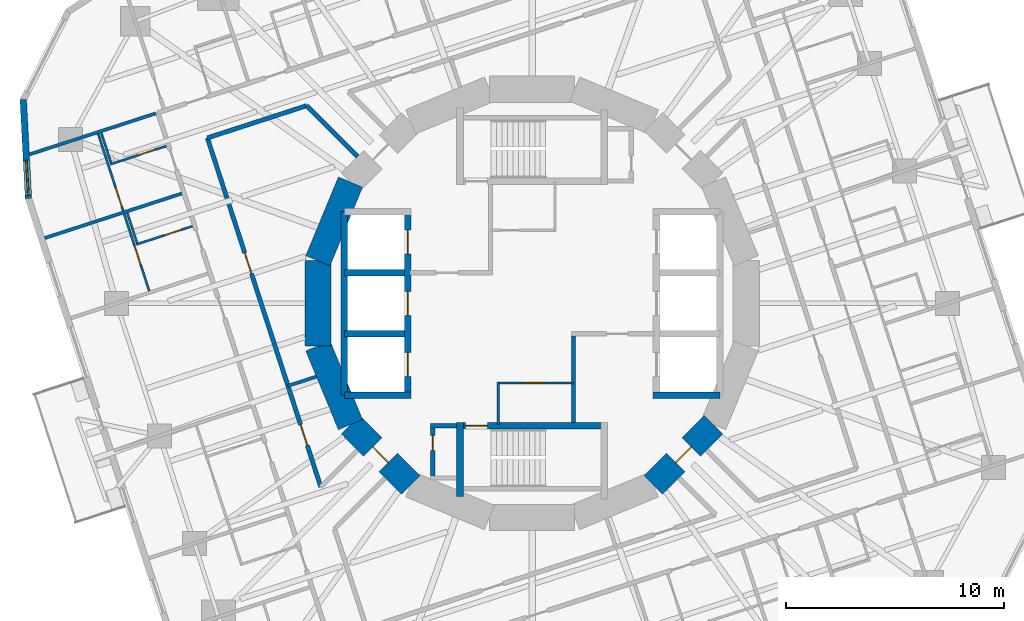
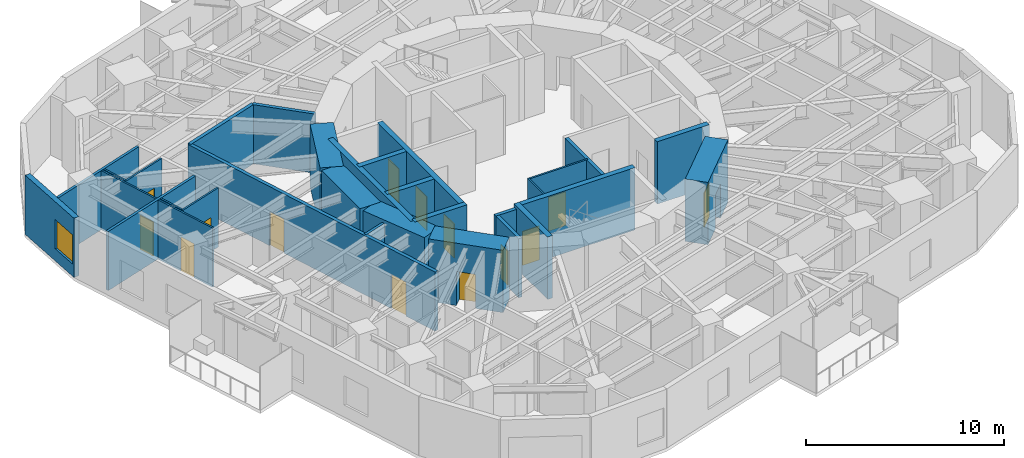
# One storey, part 6 of 12: 31 walls, 14 doors, 1 window, 15 openings.
"""IFC4 building model written with IfcOpenShell, lengths in metres."""

from ifc_helpers import new_model, si_unit, direction, frame, frame_2d, origin, place, context, subcontext, project, spatial, rectangle, extrude, material, layer, layer_set, type_object, element, fill, save


model = new_model("IFC4")

# Units and contexts
model_context = context("Model", 3, precision=1e-05, world=origin(), true_north=direction((0.0, 1.0)))
body_context = subcontext(model_context, "Body", "Model", "MODEL_VIEW")
ifc_project = project(units=[si_unit("LENGTHUNIT", "METRE"), si_unit("AREAUNIT", "SQUARE_METRE"), si_unit("VOLUMEUNIT", "CUBIC_METRE"), si_unit("PLANEANGLEUNIT", "RADIAN"), si_unit("MASSUNIT", "GRAM", prefix="KILO")], contexts=[model_context])

# Site, building, storey
site_placement = place(None, origin())
site = spatial("IfcSite", under=ifc_project, at=site_placement, CompositionType="ELEMENT")
building_placement = place(site_placement, origin())
building = spatial("IfcBuilding", under=site, at=building_placement, Name="Nakasero Lantern House", CompositionType="ELEMENT")
storey_placement = place(building_placement, frame((0.0, 0.0, 153.35009765625)))
storey = spatial("IfcBuildingStorey", under=building, at=storey_placement, Name="L37", CompositionType="ELEMENT", Elevation=153.35009765625)

# Wall, openings, doors
ifc_material_1 = material(Name="Concrete C50/60", Category="concrete")
ifc_layer_1 = layer(ifc_material_1, 0.300048828125)
ifc_layer_set_1 = layer_set([ifc_layer_1], Name="Core inner wall 300")
wall_type_1 = type_object("IfcWallType", Name="Core inner wall 300", PredefinedType="SHEAR", material=ifc_layer_set_1)
wall_1_placement = place(storey_placement, frame((-5.699951171875, -4.199951171875, 0.0), z_axis=(0.0, 0.0, 1.0), x_axis=(0.0, 1.0, 0.0)))
wall_1 = element("IfcWall", 1, at=wall_1_placement, inside=storey, type_object=wall_type_1, Name="Core inner wall L37 LW", PredefinedType="SHEAR", context=body_context, shape_type="SweptSolid", body=[
    extrude(rectangle(XDim=8.39990234375, YDim=0.300048828125, at=frame_2d((4.199951171875, 0.0))), origin(), (0.0, 0.0, 1.0), 3.849853515625),
])
opening_1_placement = place(wall_1_placement, frame((0.85009765625, 0.0, 0.0)))
opening_1 = element("IfcOpeningElement", 2, at=opening_1_placement, cuts=wall_1, Name="Opening LD", PredefinedType="OPENING", context=body_context, shape_type="SweptSolid", body=[
    extrude(rectangle(XDim=1.10009765625, YDim=2.10009765625, at=frame_2d((0.550048828125, 1.050048828125))), frame((0.0, 0.169921875, 0.0), z_axis=(0.0, -1.0, 0.0), x_axis=(1.0, 0.0, 0.0)), (0.0, 0.0, 1.0), 0.340087890625),
])
opening_2_placement = place(wall_1_placement, frame((3.64990234375, 0.0, 0.0)))
opening_2 = element("IfcOpeningElement", 3, at=opening_2_placement, cuts=wall_1, Name="Opening LD", PredefinedType="OPENING", context=body_context, shape_type="SweptSolid", body=[
    extrude(rectangle(XDim=1.10009765625, YDim=2.10009765625, at=frame_2d((0.550048828125, 1.050048828125))), frame((0.0, 0.169921875, 0.0), z_axis=(0.0, -1.0, 0.0), x_axis=(1.0, 0.0, 0.0)), (0.0, 0.0, 1.0), 0.340087890625),
])
opening_3_placement = place(wall_1_placement, frame((6.449951171875, 0.0, 0.0)))
opening_3 = element("IfcOpeningElement", 4, at=opening_3_placement, cuts=wall_1, Name="Opening LD", PredefinedType="OPENING", context=body_context, shape_type="SweptSolid", body=[
    extrude(rectangle(XDim=1.10009765625, YDim=2.10009765625, at=frame_2d((0.550048828125, 1.050048828125))), frame((0.0, 0.169921875, 0.0), z_axis=(0.0, -1.0, 0.0), x_axis=(1.0, 0.0, 0.0)), (0.0, 0.0, 1.0), 0.340087890625),
])
ifc_material_2 = material(Name="Steel S355", Category="steel")
door_type_1 = type_object("IfcDoorType", Name="Lift landing door E120 1100", OperationType="SLIDING_TO_LEFT", PredefinedType="DOOR", material=ifc_material_2)
door_1_placement = place(opening_1_placement, origin())
door_1 = element("IfcDoor", 5, at=door_1_placement, inside=storey, type_object=door_type_1, Name="Lift landing door LW1", OperationType="SLIDING_TO_LEFT", OverallHeight=2.10009765625, OverallWidth=1.10009765625, PredefinedType="DOOR", context=body_context, shape_type="SweptSolid", body=[
    extrude(rectangle(XDim=1.10009765625, YDim=2.10009765625, at=frame_2d((0.550048828125, 1.050048828125))), frame((0.0, 0.02490234375, 0.0), z_axis=(0.0, -1.0, 0.0), x_axis=(1.0, 0.0, 0.0)), (0.0, 0.0, 1.0), 0.050048828125),
])
fill(opening_1, door_1)
door_2_placement = place(opening_2_placement, origin())
door_2 = element("IfcDoor", 6, at=door_2_placement, inside=storey, type_object=door_type_1, Name="Lift landing door LW2", OperationType="SLIDING_TO_LEFT", OverallHeight=2.10009765625, OverallWidth=1.10009765625, PredefinedType="DOOR", context=body_context, shape_type="SweptSolid", body=[
    extrude(rectangle(XDim=1.10009765625, YDim=2.10009765625, at=frame_2d((0.550048828125, 1.050048828125))), frame((0.0, 0.02490234375, 0.0), z_axis=(0.0, -1.0, 0.0), x_axis=(1.0, 0.0, 0.0)), (0.0, 0.0, 1.0), 0.050048828125),
])
fill(opening_2, door_2)
door_3_placement = place(opening_3_placement, origin())
door_3 = element("IfcDoor", 7, at=door_3_placement, inside=storey, type_object=door_type_1, Name="Lift landing door LW3", OperationType="SLIDING_TO_LEFT", OverallHeight=2.10009765625, OverallWidth=1.10009765625, PredefinedType="DOOR", context=body_context, shape_type="SweptSolid", body=[
    extrude(rectangle(XDim=1.10009765625, YDim=2.10009765625, at=frame_2d((0.550048828125, 1.050048828125))), frame((0.0, 0.02490234375, 0.0), z_axis=(0.0, -1.0, 0.0), x_axis=(1.0, 0.0, 0.0)), (0.0, 0.0, 1.0), 0.050048828125),
])
fill(opening_3, door_3)

# Walls
for number, where, z_axis, x_axis, name in (
    (8, (-8.60009765625, -4.199951171875, 0.0), (0.0, 0.0, 1.0), (1.0, 0.0, 0.0), "Core inner wall L37 LWS"),
    (9, (5.550048828125, -4.199951171875, 0.0), (0.0, 0.0, 1.0), (1.0, 0.0, 0.0), "Core inner wall L37 LES"),
):
    element("IfcWall", number, at=place(storey_placement, frame(where, z_axis=z_axis, x_axis=x_axis)), inside=storey, type_object=wall_type_1, Name=name, PredefinedType="SHEAR", context=body_context, shape_type="SweptSolid", body=[
        extrude(rectangle(XDim=3.050048828125, YDim=0.300048828125, at=frame_2d((1.52490234375, 0.0))), origin(), (0.0, 0.0, 1.0), 3.849853515625),
    ])
wall_2_placement = place(storey_placement, frame((-8.60009765625, -4.199951171875, 0.0), z_axis=(0.0, 0.0, 1.0), x_axis=(0.0, 1.0, 0.0)))
element("IfcWall", 10, at=wall_2_placement, inside=storey, type_object=wall_type_1, Name="Core inner wall L37 LWB", PredefinedType="SHEAR", context=body_context, shape_type="SweptSolid", body=[
    extrude(rectangle(XDim=8.39990234375, YDim=0.300048828125, at=frame_2d((4.199951171875, 0.0))), origin(), (0.0, 0.0, 1.0), 3.849853515625),
])
for number, where, z_axis, x_axis, name in (
    (11, (-8.60009765625, -1.39990234375, 0.0), (0.0, 0.0, 1.0), (1.0, 0.0, 0.0), "Core inner wall L37 LW1"),
    (12, (-8.60009765625, 1.39990234375, 0.0), (0.0, 0.0, 1.0), (1.0, 0.0, 0.0), "Core inner wall L37 LW2"),
):
    element("IfcWall", number, at=place(storey_placement, frame(where, z_axis=z_axis, x_axis=x_axis)), inside=storey, type_object=wall_type_1, Name=name, PredefinedType="SHEAR", context=body_context, shape_type="SweptSolid", body=[
        extrude(rectangle(XDim=2.75, YDim=0.300048828125, at=frame_2d((1.375, 0.0))), origin(), (0.0, 0.0, 1.0), 3.849853515625),
    ])

# Wall, opening, door
wall_3_placement = place(storey_placement, frame((-3.449951171875, -5.60009765625, 0.0), z_axis=(0.0, 0.0, 1.0), x_axis=(1.0, 0.0, 0.0)))
wall_3 = element("IfcWall", 13, at=wall_3_placement, inside=storey, type_object=wall_type_1, Name="Core inner wall L37 SS", PredefinedType="SHEAR", context=body_context, shape_type="SweptSolid", body=[
    extrude(rectangle(XDim=6.89990234375, YDim=0.300048828125, at=frame_2d((3.449951171875, 0.0))), origin(), (0.0, 0.0, 1.0), 3.849853515625),
])
opening_4_placement = place(wall_3_placement, frame((0.39990234375, 0.0, 0.0)))
opening_4 = element("IfcOpeningElement", 14, at=opening_4_placement, cuts=wall_3, Name="Opening D05", PredefinedType="OPENING", context=body_context, shape_type="SweptSolid", body=[
    extrude(rectangle(XDim=1.0, YDim=2.10009765625, at=frame_2d((0.5, 1.050048828125))), frame((0.0, 0.169921875, 0.0), z_axis=(0.0, -1.0, 0.0), x_axis=(1.0, 0.0, 0.0)), (0.0, 0.0, 1.0), 0.340087890625),
])
ifc_material_3 = material(Name="Timber C24", Category="wood")
door_type_2 = type_object("IfcDoorType", Name="Core door FD60S 1000", OperationType="SINGLE_SWING_LEFT", PredefinedType="DOOR", material=ifc_material_3)
door_4_placement = place(opening_4_placement, origin())
door_4 = element("IfcDoor", 15, at=door_4_placement, inside=storey, type_object=door_type_2, Name="Door L37 D-ST2", OperationType="SINGLE_SWING_LEFT", OverallHeight=2.10009765625, OverallWidth=1.0, PredefinedType="DOOR", context=body_context, shape_type="SweptSolid", body=[
    extrude(rectangle(XDim=1.0, YDim=2.10009765625, at=frame_2d((0.5, 1.050048828125))), frame((0.0, 0.02490234375, 0.0), z_axis=(0.0, -1.0, 0.0), x_axis=(1.0, 0.0, 0.0)), (0.0, 0.0, 1.0), 0.050048828125),
])
fill(opening_4, door_4)

# Wall
wall_4_placement = place(storey_placement, frame((-3.300048828125, -5.449951171875, 0.0), z_axis=(0.0, 0.0, 1.0), x_axis=(0.0, -1.0, 0.0)))
element("IfcWall", 16, at=wall_4_placement, inside=storey, type_object=wall_type_1, Name="Core inner wall L37 SSW", PredefinedType="SHEAR", context=body_context, shape_type="SweptSolid", body=[
    extrude(rectangle(XDim=3.400146484375, YDim=0.300048828125, at=frame_2d((1.7001953125, 0.0))), origin(), (0.0, 0.0, 1.0), 3.849853515625),
])

# Wall, opening, door
ifc_material_4 = material(Name="Blockwork", Category="masonry")
ifc_layer_2 = layer(ifc_material_4, 0.10009765625)
ifc_layer_set_2 = layer_set([ifc_layer_2], Name="Core room wall 100")
wall_type_2 = type_object("IfcWallType", Name="Core room wall 100", PredefinedType="PARTITIONING", material=ifc_layer_set_2)
wall_5_placement = place(storey_placement, frame((-1.60009765625, -3.64990234375, 0.0), z_axis=(0.0, 0.0, 1.0), x_axis=(1.0, 0.0, 0.0)))
wall_5 = element("IfcWall", 17, at=wall_5_placement, inside=storey, type_object=wall_type_2, Name="Core room wall L37 CR-SWN", PredefinedType="PARTITIONING", context=body_context, shape_type="SweptSolid", body=[
    extrude(rectangle(XDim=3.5, YDim=0.10009765625, at=frame_2d((1.75, 0.0))), origin(), (0.0, 0.0, 1.0), 3.64990234375),
])
opening_5_placement = place(wall_5_placement, frame((1.199951171875, 0.0, 0.0)))
opening_5 = element("IfcOpeningElement", 18, at=opening_5_placement, cuts=wall_5, Name="Opening D07", PredefinedType="OPENING", context=body_context, shape_type="SweptSolid", body=[
    extrude(rectangle(XDim=1.0, YDim=2.10009765625, at=frame_2d((0.5, 1.050048828125))), frame((0.0, 0.070068359375, 0.0), z_axis=(0.0, -1.0, 0.0), x_axis=(1.0, 0.0, 0.0)), (0.0, 0.0, 1.0), 0.14013671875),
])
ifc_material_5 = material(Name="Timber C24", Category="wood")
door_type_3 = type_object("IfcDoorType", Name="Room door FD30S 1000", OperationType="SINGLE_SWING_LEFT", PredefinedType="DOOR", material=ifc_material_5)
door_5_placement = place(opening_5_placement, origin())
door_5 = element("IfcDoor", 19, at=door_5_placement, inside=storey, type_object=door_type_3, Name="Door L37 D-CR-SW", OperationType="SINGLE_SWING_LEFT", OverallHeight=2.10009765625, OverallWidth=1.0, PredefinedType="DOOR", context=body_context, shape_type="SweptSolid", body=[
    extrude(rectangle(XDim=1.0, YDim=2.10009765625, at=frame_2d((0.5, 1.050048828125))), frame((0.0, 0.02490234375, 0.0), z_axis=(0.0, -1.0, 0.0), x_axis=(1.0, 0.0, 0.0)), (0.0, 0.0, 1.0), 0.050048828125),
])
fill(opening_5, door_5)

# Walls
wall_6_placement = place(storey_placement, frame((-1.550048828125, -5.550048828125, 0.0), z_axis=(0.0, 0.0, 1.0), x_axis=(0.0, 1.0, 0.0)))
element("IfcWall", 20, at=wall_6_placement, inside=storey, type_object=wall_type_2, Name="Core room wall L37 CR-SWW", PredefinedType="PARTITIONING", context=body_context, shape_type="SweptSolid", body=[
    extrude(rectangle(XDim=1.949951171875, YDim=0.10009765625, at=frame_2d((0.97509765625, 0.0))), origin(), (0.0, 0.0, 1.0), 3.64990234375),
])
ifc_material_6 = material(Name="Concrete C50/60", Category="concrete")
ifc_layer_3 = layer(ifc_material_6, 1.199951171875)
ifc_layer_set_3 = layer_set([ifc_layer_3], Name="Core wall 1200")
wall_type_3 = type_object("IfcWallType", Name="Core wall 1200", PredefinedType="SHEAR", material=ifc_layer_set_3)
for number, where, z_axis, x_axis, name in (
    (21, (-8.314697265625, 5.5556640625, 0.0), (0.0, 0.0, 1.0), (-0.382690736062, -0.923876507187, 0.0), "Core wall L37 facet 7"),
    (22, (-9.807861328125, 1.950927734375, 0.0), (0.0, 0.0, 1.0), (0.0, -1.0, 0.0), "Core wall L37 facet 8"),
    (23, (-9.807861328125, -1.950927734375, 0.0), (0.0, 0.0, 1.0), (0.382690736062, -0.923876507187, 0.0), "Core wall L37 facet 9"),
):
    element("IfcWall", number, at=place(storey_placement, frame(where, z_axis=z_axis, x_axis=x_axis)), inside=storey, type_object=wall_type_3, Name=name, PredefinedType="SHEAR", context=body_context, shape_type="SweptSolid", body=[
        extrude(rectangle(XDim=3.90185546875, YDim=1.199951171875, at=frame_2d((1.950927734375, 0.0))), origin(), (0.0, 0.0, 1.0), 3.849853515625),
    ])

# Wall, opening, door
wall_7_placement = place(storey_placement, frame((-8.314697265625, -5.5556640625, 0.0), z_axis=(0.0, 0.0, 1.0), x_axis=(0.707106781187, -0.707106781187, 0.0)))
wall_7 = element("IfcWall", 24, at=wall_7_placement, inside=storey, type_object=wall_type_3, Name="Core wall L37 facet 10", PredefinedType="SHEAR", context=body_context, shape_type="SweptSolid", body=[
    extrude(rectangle(XDim=3.90185546875, YDim=1.199951171875, at=frame_2d((1.950927734375, 0.0))), origin(), (0.0, 0.0, 1.0), 3.849853515625),
])
opening_6_placement = place(wall_7_placement, frame((1.450927734375, 0.0, 0.0)))
opening_6 = element("IfcOpeningElement", 25, at=opening_6_placement, cuts=wall_7, Name="Opening D05", PredefinedType="OPENING", context=body_context, shape_type="SweptSolid", body=[
    extrude(rectangle(XDim=1.0, YDim=2.10009765625, at=frame_2d((0.5, 1.050048828125))), frame((0.0, 0.619873046875, 0.0), z_axis=(0.0, -1.0, 0.0), x_axis=(1.0, 0.0, 0.0)), (0.0, 0.0, 1.0), 1.239990234375),
])
door_6_placement = place(opening_6_placement, origin())
door_6 = element("IfcDoor", 26, at=door_6_placement, inside=storey, type_object=door_type_2, Name="Door L37 D-CORE10", OperationType="SINGLE_SWING_LEFT", OverallHeight=2.10009765625, OverallWidth=1.0, PredefinedType="DOOR", context=body_context, shape_type="SweptSolid", body=[
    extrude(rectangle(XDim=1.0, YDim=2.10009765625, at=frame_2d((0.5, 1.050048828125))), frame((0.0, 0.02490234375, 0.0), z_axis=(0.0, -1.0, 0.0), x_axis=(1.0, 0.0, 0.0)), (0.0, 0.0, 1.0), 0.050048828125),
])
fill(opening_6, door_6)

wall_8_placement = place(storey_placement, frame((5.5556640625, -8.314697265625, 0.0), z_axis=(0.0, 0.0, 1.0), x_axis=(0.707106781187, 0.707106781187, 0.0)))
wall_8 = element("IfcWall", 27, at=wall_8_placement, inside=storey, type_object=wall_type_3, Name="Core wall L37 facet 14", PredefinedType="SHEAR", context=body_context, shape_type="SweptSolid", body=[
    extrude(rectangle(XDim=3.90185546875, YDim=1.199951171875, at=frame_2d((1.950927734375, 0.0))), origin(), (0.0, 0.0, 1.0), 3.849853515625),
])
opening_7_placement = place(wall_8_placement, frame((1.450927734375, 0.0, 0.0)))
opening_7 = element("IfcOpeningElement", 28, at=opening_7_placement, cuts=wall_8, Name="Opening D05", PredefinedType="OPENING", context=body_context, shape_type="SweptSolid", body=[
    extrude(rectangle(XDim=1.0, YDim=2.10009765625, at=frame_2d((0.5, 1.050048828125))), frame((0.0, 0.619873046875, 0.0), z_axis=(0.0, -1.0, 0.0), x_axis=(1.0, 0.0, 0.0)), (0.0, 0.0, 1.0), 1.239990234375),
])
door_7_placement = place(opening_7_placement, origin())
door_7 = element("IfcDoor", 29, at=door_7_placement, inside=storey, type_object=door_type_2, Name="Door L37 D-CORE14", OperationType="SINGLE_SWING_LEFT", OverallHeight=2.10009765625, OverallWidth=1.0, PredefinedType="DOOR", context=body_context, shape_type="SweptSolid", body=[
    extrude(rectangle(XDim=1.0, YDim=2.10009765625, at=frame_2d((0.5, 1.050048828125))), frame((0.0, 0.02490234375, 0.0), z_axis=(0.0, -1.0, 0.0), x_axis=(1.0, 0.0, 0.0)), (0.0, 0.0, 1.0), 0.050048828125),
])
fill(opening_7, door_7)

# Wall
ifc_material_7 = material(Name="Blockwork", Category="masonry")
ifc_layer_4 = layer(ifc_material_7, 0.199951171875)
ifc_layer_set_4 = layer_set([ifc_layer_4], Name="Corridor wall 200")
wall_type_4 = type_object("IfcWallType", Name="Corridor wall 200", PredefinedType="PARTITIONING", material=ifc_layer_set_4)
wall_9_placement = place(storey_placement, frame((-10.3251953125, 9.052490234375, 0.0), z_axis=(0.0, 0.0, 1.0), x_axis=(-0.951057724773, -0.309013275037, 0.0)))
element("IfcWall", 30, at=wall_9_placement, inside=storey, type_object=wall_type_4, Name="Corridor wall L37 IW1-1", PredefinedType="PARTITIONING", context=body_context, shape_type="SweptSolid", body=[
    extrude(rectangle(XDim=4.777587890625, YDim=0.199951171875, at=frame_2d((2.388671875, 0.0))), origin(), (0.0, 0.0, 1.0), 3.64990234375),
])

# Wall, openings, doors
wall_10_placement = place(storey_placement, frame((-14.868896484375, 7.576171875, 0.0), z_axis=(0.0, 0.0, 1.0), x_axis=(0.309013133095, -0.951057770893, 0.0)))
wall_10 = element("IfcWall", 31, at=wall_10_placement, inside=storey, type_object=wall_type_4, Name="Corridor wall L37 IW2-0", PredefinedType="PARTITIONING", context=body_context, shape_type="SweptSolid", body=[
    extrude(rectangle(XDim=16.80224609375, YDim=0.199951171875, at=frame_2d((8.401123046875, 0.0))), origin(), (0.0, 0.0, 1.0), 3.64990234375),
])
opening_8_placement = place(wall_10_placement, frame((13.80859375, 0.0, 0.0)))
opening_8 = element("IfcOpeningElement", 32, at=opening_8_placement, cuts=wall_10, Name="Opening D07", PredefinedType="OPENING", context=body_context, shape_type="SweptSolid", body=[
    extrude(rectangle(XDim=1.0, YDim=2.10009765625, at=frame_2d((0.5, 1.050048828125))), frame((0.0, 0.119873046875, 0.0), z_axis=(0.0, -1.0, 0.0), x_axis=(1.0, 0.0, 0.0)), (0.0, 0.0, 1.0), 0.239990234375),
])
opening_9_placement = place(wall_10_placement, frame((5.532470703125, 0.0, 0.0)))
opening_9 = element("IfcOpeningElement", 33, at=opening_9_placement, cuts=wall_10, Name="Opening D07", PredefinedType="OPENING", context=body_context, shape_type="SweptSolid", body=[
    extrude(rectangle(XDim=1.0, YDim=2.10009765625, at=frame_2d((0.5, 1.050048828125))), frame((0.0, 0.119873046875, 0.0), z_axis=(0.0, -1.0, 0.0), x_axis=(1.0, 0.0, 0.0)), (0.0, 0.0, 1.0), 0.239990234375),
])
door_8_placement = place(opening_8_placement, origin())
door_8 = element("IfcDoor", 34, at=door_8_placement, inside=storey, type_object=door_type_3, Name="Door L37 DI1", OperationType="SINGLE_SWING_RIGHT", OverallHeight=2.10009765625, OverallWidth=1.0, PredefinedType="DOOR", context=body_context, shape_type="SweptSolid", body=[
    extrude(rectangle(XDim=1.0, YDim=2.10009765625, at=frame_2d((0.5, 1.050048828125))), frame((0.0, 0.02490234375, 0.0), z_axis=(0.0, -1.0, 0.0), x_axis=(1.0, 0.0, 0.0)), (0.0, 0.0, 1.0), 0.050048828125),
])
fill(opening_8, door_8)
door_9_placement = place(opening_9_placement, origin())
door_9 = element("IfcDoor", 35, at=door_9_placement, inside=storey, type_object=door_type_3, Name="Door L37 DI8", OperationType="SINGLE_SWING_LEFT", OverallHeight=2.10009765625, OverallWidth=1.0, PredefinedType="DOOR", context=body_context, shape_type="SweptSolid", body=[
    extrude(rectangle(XDim=1.0, YDim=2.10009765625, at=frame_2d((0.5, 1.050048828125))), frame((0.0, 0.02490234375, 0.0), z_axis=(0.0, -1.0, 0.0), x_axis=(1.0, 0.0, 0.0)), (0.0, 0.0, 1.0), 0.050048828125),
])
fill(opening_9, door_9)

# Wall
wall_11_placement = place(storey_placement, frame((-7.995849609375, 6.72314453125, 0.0), z_axis=(0.0, 0.0, 1.0), x_axis=(-0.707106781187, 0.707106781187, 0.0)))
element("IfcWall", 36, at=wall_11_placement, inside=storey, type_object=wall_type_4, Name="Corridor wall L37 PS06a", PredefinedType="PARTITIONING", context=body_context, shape_type="SweptSolid", body=[
    extrude(rectangle(XDim=3.294189453125, YDim=0.199951171875, at=frame_2d((1.64697265625, 0.0))), origin(), (0.0, 0.0, 1.0), 3.64990234375),
])

# Wall, opening, door
ifc_material_8 = material(Name="Blockwork", Category="masonry")
ifc_layer_5 = layer(ifc_material_8, 0.10009765625)
ifc_layer_set_5 = layer_set([ifc_layer_5], Name="En-suite wall 100")
wall_type_5 = type_object("IfcWallType", Name="En-suite wall 100", PredefinedType="PARTITIONING", material=ifc_layer_set_5)
wall_12_placement = place(storey_placement, frame((-16.745361328125, 7.202880859375, 0.0), z_axis=(0.0, 0.0, 1.0), x_axis=(-0.951069945308, -0.308975661068, 0.0)))
wall_12 = element("IfcWall", 37, at=wall_12_placement, inside=storey, type_object=wall_type_5, Name="En-suite wall L37 ES2-00", PredefinedType="PARTITIONING", context=body_context, shape_type="SweptSolid", body=[
    extrude(rectangle(XDim=2.699951171875, YDim=0.10009765625, at=frame_2d((1.35009765625, 0.0))), origin(), (0.0, 0.0, 1.0), 3.64990234375),
])
opening_10_placement = place(wall_12_placement, frame((0.550048828125, 0.0, 0.0)))
opening_10 = element("IfcOpeningElement", 38, at=opening_10_placement, cuts=wall_12, Name="Opening D02", PredefinedType="OPENING", context=body_context, shape_type="SweptSolid", body=[
    extrude(rectangle(XDim=0.800048828125, YDim=2.10009765625, at=frame_2d((0.39990234375, 1.050048828125))), frame((0.0, 0.070068359375, 0.0), z_axis=(0.0, -1.0, 0.0), x_axis=(1.0, 0.0, 0.0)), (0.0, 0.0, 1.0), 0.14013671875),
])
ifc_material_9 = material(Name="Timber C24", Category="wood")
door_type_4 = type_object("IfcDoorType", Name="En-suite door 800", OperationType="SINGLE_SWING_RIGHT", PredefinedType="DOOR", material=ifc_material_9)
door_10_placement = place(opening_10_placement, origin())
door_10 = element("IfcDoor", 39, at=door_10_placement, inside=storey, type_object=door_type_4, Name="Door L37 DE2-00", OperationType="SINGLE_SWING_LEFT", OverallHeight=2.10009765625, OverallWidth=0.800048828125, PredefinedType="DOOR", context=body_context, shape_type="SweptSolid", body=[
    extrude(rectangle(XDim=0.800048828125, YDim=2.10009765625, at=frame_2d((0.39990234375, 1.050048828125))), frame((0.0, 0.02490234375, 0.0), z_axis=(0.0, -1.0, 0.0), x_axis=(1.0, 0.0, 0.0)), (0.0, 0.0, 1.0), 0.050048828125),
])
fill(opening_10, door_10)

# Wall
wall_13_placement = place(storey_placement, frame((-19.729248046875, 7.810546875, 0.0), z_axis=(0.0, 0.0, 1.0), x_axis=(0.308994689397, -0.951063763333, 0.0)))
element("IfcWall", 40, at=wall_13_placement, inside=storey, type_object=wall_type_5, Name="En-suite wall L37 EE2-00", PredefinedType="PARTITIONING", context=body_context, shape_type="SweptSolid", body=[
    extrude(rectangle(XDim=1.449951171875, YDim=0.10009765625, at=frame_2d((0.72509765625, 0.0))), origin(), (0.0, 0.0, 1.0), 3.64990234375),
])

# Wall, opening, door
wall_14_placement = place(storey_placement, frame((-15.552734375, 3.5322265625, 0.0), z_axis=(0.0, 0.0, 1.0), x_axis=(-0.951069945308, -0.308975661068, 0.0)))
wall_14 = element("IfcWall", 41, at=wall_14_placement, inside=storey, type_object=wall_type_5, Name="En-suite wall L37 ES2-01", PredefinedType="PARTITIONING", context=body_context, shape_type="SweptSolid", body=[
    extrude(rectangle(XDim=2.699951171875, YDim=0.10009765625, at=frame_2d((1.35009765625, 0.0))), origin(), (0.0, 0.0, 1.0), 3.64990234375),
])
opening_11_placement = place(wall_14_placement, frame((0.550048828125, 0.0, 0.0)))
opening_11 = element("IfcOpeningElement", 42, at=opening_11_placement, cuts=wall_14, Name="Opening D02", PredefinedType="OPENING", context=body_context, shape_type="SweptSolid", body=[
    extrude(rectangle(XDim=0.800048828125, YDim=2.10009765625, at=frame_2d((0.39990234375, 1.050048828125))), frame((0.0, 0.070068359375, 0.0), z_axis=(0.0, -1.0, 0.0), x_axis=(1.0, 0.0, 0.0)), (0.0, 0.0, 1.0), 0.14013671875),
])
door_11_placement = place(opening_11_placement, origin())
door_11 = element("IfcDoor", 43, at=door_11_placement, inside=storey, type_object=door_type_4, Name="Door L37 DE2-01", OperationType="SINGLE_SWING_LEFT", OverallHeight=2.10009765625, OverallWidth=0.800048828125, PredefinedType="DOOR", context=body_context, shape_type="SweptSolid", body=[
    extrude(rectangle(XDim=0.800048828125, YDim=2.10009765625, at=frame_2d((0.39990234375, 1.050048828125))), frame((0.0, 0.02490234375, 0.0), z_axis=(0.0, -1.0, 0.0), x_axis=(1.0, 0.0, 0.0)), (0.0, 0.0, 1.0), 0.050048828125),
])
fill(opening_11, door_11)

# Wall
wall_15_placement = place(storey_placement, frame((-18.53662109375, 4.14013671875, 0.0), z_axis=(0.0, 0.0, 1.0), x_axis=(0.308945211672, -0.951079836914, 0.0)))
element("IfcWall", 44, at=wall_15_placement, inside=storey, type_object=wall_type_5, Name="En-suite wall L37 EE2-01", PredefinedType="PARTITIONING", context=body_context, shape_type="SweptSolid", body=[
    extrude(rectangle(XDim=1.4501953125, YDim=0.10009765625, at=frame_2d((0.72509765625, 0.0))), origin(), (0.0, 0.0, 1.0), 3.64990234375),
])

# Wall, opening, door
wall_16_placement = place(storey_placement, frame((-19.871826171875, 7.76416015625, 0.0), z_axis=(0.0, 0.0, 1.0), x_axis=(0.309011659656, -0.951058249634, 0.0)))
wall_16 = element("IfcWall", 45, at=wall_16_placement, inside=storey, type_object=wall_type_5, Name="En-suite wall L37 EL2-00", PredefinedType="PARTITIONING", context=body_context, shape_type="SweptSolid", body=[
    extrude(rectangle(XDim=3.70947265625, YDim=0.10009765625, at=frame_2d((1.854736328125, 0.0))), origin(), (0.0, 0.0, 1.0), 3.64990234375),
])
opening_12_placement = place(wall_16_placement, frame((2.609375, 0.0, 0.0)))
opening_12 = element("IfcOpeningElement", 46, at=opening_12_placement, cuts=wall_16, Name="Opening D17", PredefinedType="OPENING", context=body_context, shape_type="SweptSolid", body=[
    extrude(rectangle(XDim=0.89990234375, YDim=2.10009765625, at=frame_2d((0.449951171875, 1.050048828125))), frame((0.0, 0.070068359375, 0.0), z_axis=(0.0, -1.0, 0.0), x_axis=(1.0, 0.0, 0.0)), (0.0, 0.0, 1.0), 0.14013671875),
])
ifc_material_10 = material(Name="Timber C24", Category="wood")
door_type_5 = type_object("IfcDoorType", Name="Bedroom door FD30S 900", OperationType="SINGLE_SWING_LEFT", PredefinedType="DOOR", material=ifc_material_10)
door_12_placement = place(opening_12_placement, origin())
door_12 = element("IfcDoor", 47, at=door_12_placement, inside=storey, type_object=door_type_5, Name="Door L37 DL2-00", OperationType="SINGLE_SWING_RIGHT", OverallHeight=2.10009765625, OverallWidth=0.89990234375, PredefinedType="DOOR", context=body_context, shape_type="SweptSolid", body=[
    extrude(rectangle(XDim=0.89990234375, YDim=2.10009765625, at=frame_2d((0.449951171875, 1.050048828125))), frame((0.0, 0.02490234375, 0.0), z_axis=(0.0, -1.0, 0.0), x_axis=(1.0, 0.0, 0.0)), (0.0, 0.0, 1.0), 0.050048828125),
])
fill(opening_12, door_12)

wall_17_placement = place(storey_placement, frame((-18.67919921875, 4.09375, 0.0), z_axis=(0.0, 0.0, 1.0), x_axis=(0.308992317918, -0.951064533808, 0.0)))
wall_17 = element("IfcWall", 48, at=wall_17_placement, inside=storey, type_object=wall_type_5, Name="En-suite wall L37 EL2-01", PredefinedType="PARTITIONING", context=body_context, shape_type="SweptSolid", body=[
    extrude(rectangle(XDim=3.709716796875, YDim=0.10009765625, at=frame_2d((1.85498046875, 0.0))), origin(), (0.0, 0.0, 1.0), 3.64990234375),
])
opening_13_placement = place(wall_17_placement, frame((1.550048828125, 0.0, 0.0)))
opening_13 = element("IfcOpeningElement", 49, at=opening_13_placement, cuts=wall_17, Name="Opening D17", PredefinedType="OPENING", context=body_context, shape_type="SweptSolid", body=[
    extrude(rectangle(XDim=0.89990234375, YDim=2.10009765625, at=frame_2d((0.449951171875, 1.050048828125))), frame((0.0, 0.070068359375, 0.0), z_axis=(0.0, -1.0, 0.0), x_axis=(1.0, 0.0, 0.0)), (0.0, 0.0, 1.0), 0.14013671875),
])
door_13_placement = place(opening_13_placement, origin())
door_13 = element("IfcDoor", 50, at=door_13_placement, inside=storey, type_object=door_type_5, Name="Door L37 DL2-01", OperationType="SINGLE_SWING_RIGHT", OverallHeight=2.10009765625, OverallWidth=0.89990234375, PredefinedType="DOOR", context=body_context, shape_type="SweptSolid", body=[
    extrude(rectangle(XDim=0.89990234375, YDim=2.10009765625, at=frame_2d((0.449951171875, 1.050048828125))), frame((0.0, 0.02490234375, 0.0), z_axis=(0.0, -1.0, 0.0), x_axis=(1.0, 0.0, 0.0)), (0.0, 0.0, 1.0), 0.050048828125),
])
fill(opening_13, door_13)

# Wall, opening, window
ifc_material_11 = material(Name="Aluminium rainscreen on blockwork", Category="masonry")
ifc_layer_6 = layer(ifc_material_11, 0.300048828125)
ifc_layer_set_6 = layer_set([ifc_layer_6], Name="Facade wall 300")
wall_type_6 = type_object("IfcWallType", Name="Facade wall 300", PredefinedType="SOLIDWALL", material=ifc_layer_set_6)
wall_18_placement = place(storey_placement, frame((-23.3017578125, 9.3310546875, 0.0), z_axis=(0.0, 0.0, 1.0), x_axis=(0.052338164079, -0.998629419044, 0.0)))
wall_18 = element("IfcWall", 51, at=wall_18_placement, inside=storey, type_object=wall_type_6, Name="Facade wall L37 FW1C3", PredefinedType="SOLIDWALL", context=body_context, shape_type="SweptSolid", body=[
    extrude(rectangle(XDim=4.529296875, YDim=0.300048828125, at=frame_2d((2.2646484375, 0.0))), origin(), (0.0, 0.0, 1.0), 3.64990234375),
])
opening_14_placement = place(wall_18_placement, frame((2.784912109375, 0.0, 0.75)))
opening_14 = element("IfcOpeningElement", 52, at=opening_14_placement, cuts=wall_18, Name="Opening W01", PredefinedType="OPENING", context=body_context, shape_type="SweptSolid", body=[
    extrude(rectangle(XDim=1.60009765625, YDim=1.800048828125, at=frame_2d((0.800048828125, 0.89990234375))), frame((0.0, 0.169921875, 0.0), z_axis=(0.0, -1.0, 0.0), x_axis=(1.0, 0.0, 0.0)), (0.0, 0.0, 1.0), 0.340087890625),
])
ifc_material_12 = material(Name="Aluminium 6063-T6 and glass", Category="aluminium")
window_type = type_object("IfcWindowType", Name="Bedroom window 1600x1800", PartitioningType="SINGLE_PANEL", PredefinedType="WINDOW", material=ifc_material_12)
window_placement = place(opening_14_placement, origin())
window = element("IfcWindow", 53, at=window_placement, inside=storey, type_object=window_type, Name="Window L37 WN2-00", OverallHeight=1.800048828125, OverallWidth=1.60009765625, PartitioningType="SINGLE_PANEL", PredefinedType="WINDOW", context=body_context, shape_type="SweptSolid", body=[
    extrude(rectangle(XDim=1.60009765625, YDim=1.800048828125, at=frame_2d((0.800048828125, 0.89990234375))), frame((0.0, 0.030029296875, 0.0), z_axis=(0.0, -1.0, 0.0), x_axis=(1.0, 0.0, 0.0)), (0.0, 0.0, 1.0), 0.06005859375),
])
fill(opening_14, window)

# Wall
ifc_material_13 = material(Name="Blockwork", Category="masonry")
ifc_layer_7 = layer(ifc_material_13, 0.199951171875)
ifc_layer_set_7 = layer_set([ifc_layer_7], Name="Fire lobby wall 200")
wall_type_7 = type_object("IfcWallType", Name="Fire lobby wall 200", PredefinedType="PARTITIONING", material=ifc_layer_set_7)
wall_19_placement = place(storey_placement, frame((1.89990234375, -1.5, 0.0), z_axis=(0.0, 0.0, 1.0), x_axis=(0.0, -1.0, 0.0)))
element("IfcWall", 54, at=wall_19_placement, inside=storey, type_object=wall_type_7, Name="Fire lobby wall L37 W-FL2W", PredefinedType="PARTITIONING", context=body_context, shape_type="SweptSolid", body=[
    extrude(rectangle(XDim=3.949951171875, YDim=0.199951171875, at=frame_2d((1.97509765625, 0.0))), origin(), (0.0, 0.0, 1.0), 3.64990234375),
])

# Wall, opening, door
wall_20_placement = place(storey_placement, frame((-4.550048828125, -5.60009765625, 0.0), z_axis=(0.0, 0.0, 1.0), x_axis=(0.0, -1.0, 0.0)))
wall_20 = element("IfcWall", 55, at=wall_20_placement, inside=storey, type_object=wall_type_7, Name="Fire lobby wall L37 W-RS2W", PredefinedType="PARTITIONING", context=body_context, shape_type="SweptSolid", body=[
    extrude(rectangle(XDim=2.39990234375, YDim=0.199951171875, at=frame_2d((1.199951171875, 0.0))), origin(), (0.0, 0.0, 1.0), 3.64990234375),
])
opening_15_placement = place(wall_20_placement, frame((0.449951171875, 0.0, 0.0)))
opening_15 = element("IfcOpeningElement", 56, at=opening_15_placement, cuts=wall_20, Name="Opening D06", PredefinedType="OPENING", context=body_context, shape_type="SweptSolid", body=[
    extrude(rectangle(XDim=0.699951171875, YDim=2.10009765625, at=frame_2d((0.35009765625, 1.050048828125))), frame((0.0, 0.119873046875, 0.0), z_axis=(0.0, -1.0, 0.0), x_axis=(1.0, 0.0, 0.0)), (0.0, 0.0, 1.0), 0.239990234375),
])
ifc_material_14 = material(Name="Steel S355", Category="steel")
door_type_6 = type_object("IfcDoorType", Name="Riser door FD60 700", OperationType="SINGLE_SWING_LEFT", PredefinedType="DOOR", material=ifc_material_14)
door_14_placement = place(opening_15_placement, origin())
door_14 = element("IfcDoor", 57, at=door_14_placement, inside=storey, type_object=door_type_6, Name="Door L37 D-RS2", OperationType="SINGLE_SWING_LEFT", OverallHeight=2.10009765625, OverallWidth=0.699951171875, PredefinedType="DOOR", context=body_context, shape_type="SweptSolid", body=[
    extrude(rectangle(XDim=0.699951171875, YDim=2.10009765625, at=frame_2d((0.35009765625, 1.050048828125))), frame((0.0, 0.02490234375, 0.0), z_axis=(0.0, -1.0, 0.0), x_axis=(1.0, 0.0, 0.0)), (0.0, 0.0, 1.0), 0.050048828125),
])
fill(opening_15, door_14)

# Walls
wall_21_placement = place(storey_placement, frame((-3.449951171875, -5.60009765625, 0.0), z_axis=(0.0, 0.0, 1.0), x_axis=(-1.0, 0.0, 0.0)))
element("IfcWall", 58, at=wall_21_placement, inside=storey, type_object=wall_type_7, Name="Fire lobby wall L37 W-RS2N", PredefinedType="PARTITIONING", context=body_context, shape_type="SweptSolid", body=[
    extrude(rectangle(XDim=1.199951171875, YDim=0.199951171875, at=frame_2d((0.60009765625, 0.0))), origin(), (0.0, 0.0, 1.0), 3.64990234375),
])
ifc_material_15 = material(Name="Blockwork", Category="masonry")
ifc_layer_8 = layer(ifc_material_15, 0.14990234375)
ifc_layer_set_8 = layer_set([ifc_layer_8], Name="Party wall 150")
wall_type_8 = type_object("IfcWallType", Name="Party wall 150", PredefinedType="PARTITIONING", material=ifc_layer_set_8)
wall_22_placement = place(storey_placement, frame((-17.232177734375, 8.700927734375, 0.0), z_axis=(0.0, 0.0, 1.0), x_axis=(-0.951057081836, -0.309015253813, 0.0)))
element("IfcWall", 59, at=wall_22_placement, inside=storey, type_object=wall_type_8, Name="Party wall L37 PW2-00", PredefinedType="PARTITIONING", context=body_context, shape_type="SweptSolid", body=[
    extrude(rectangle(XDim=6.080322265625, YDim=0.14990234375, at=frame_2d((3.0400390625, 0.0))), origin(), (0.0, 0.0, 1.0), 3.64990234375),
])
wall_23_placement = place(storey_placement, frame((-16.03955078125, 5.0302734375, 0.0), z_axis=(0.0, 0.0, 1.0), x_axis=(-0.951053095941, -0.309027520945, 0.0)))
element("IfcWall", 60, at=wall_23_placement, inside=storey, type_object=wall_type_8, Name="Party wall L37 PW2-01", PredefinedType="PARTITIONING", context=body_context, shape_type="SweptSolid", body=[
    extrude(rectangle(XDim=6.599853515625, YDim=0.14990234375, at=frame_2d((3.2998046875, 0.0))), origin(), (0.0, 0.0, 1.0), 3.64990234375),
])
wall_24_placement = place(storey_placement, frame((-11.17919921875, -3.779541015625, 0.0), z_axis=(0.0, 0.0, 1.0), x_axis=(0.951077243429, 0.308953195535, 0.0)))
element("IfcWall", 61, at=wall_24_placement, inside=storey, type_object=wall_type_8, Name="Party wall L37 IM2", PredefinedType="PARTITIONING", context=body_context, shape_type="SweptSolid", body=[
    extrude(rectangle(XDim=1.37109375, YDim=0.14990234375, at=frame_2d((0.685546875, 0.0))), origin(), (0.0, 0.0, 1.0), 3.64990234375),
])

save(model, "model.ifc")
